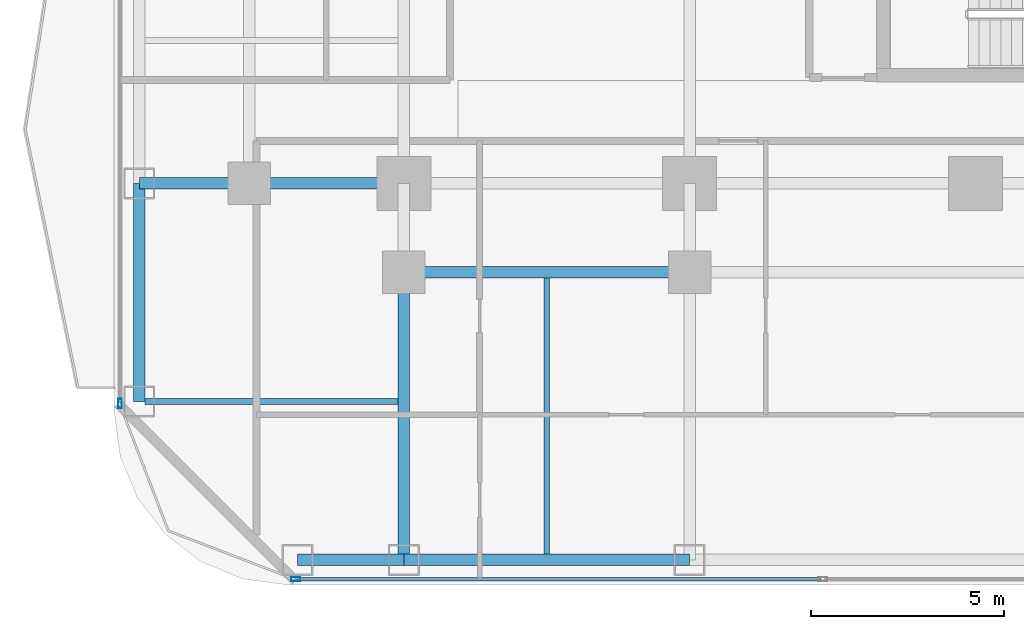
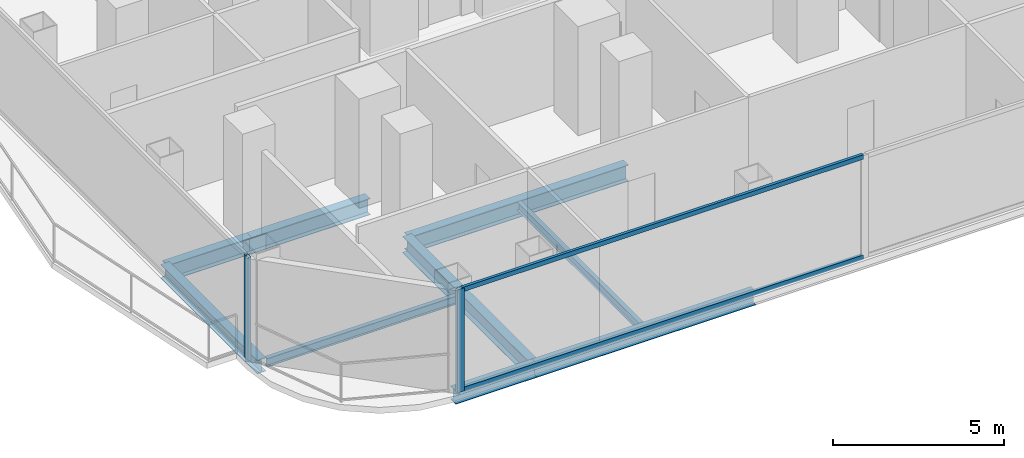
# One storey, part 2 of 27: 9 beams, 4 members, 2 elements without a shape of their own.
"""IFC4 building model written with IfcOpenShell, lengths in metres."""

import ifcopenshell
import ifcopenshell.guid

model = None  # the IFC model being written
_history = None  # IfcOwnerHistory: only IFC2X3 demands one
_inside = {}  # id of a spatial element -> (the spatial element, [elements in it])
_under = {}  # id of a project, library or spatial element -> (it, [spatial elements below it])
_declared = {}  # id of a project -> (the project, [libraries it declares])
_typed = {}  # id of a type object -> (the type object, [elements of that type])
_made_of = {}  # id of a material, layer set ... -> (it, [elements and type objects made of it])


def new_model(schema):
    """Start an empty IFC model of exactly this schema.

    Asked for "IFC4X3", IfcOpenShell would pick the latest addendum, in which some entities
    have other attributes; the version numbers below select the first issue.
    IFC2X3 requires an IfcOwnerHistory on every rooted entity: one is made here for all.
    """
    global model, _history
    if schema == "IFC4X3":
        model = ifcopenshell.file(schema_version=(4, 3, 0, 0))
    else:
        model = ifcopenshell.file(schema=schema)
    _inside.clear()
    _under.clear()
    _declared.clear()
    _typed.clear()
    _made_of.clear()
    _history = None
    if model.schema == "IFC2X3":
        org = make("IfcOrganization", Name="unknown")
        user = make(
            "IfcPersonAndOrganization",
            ThePerson=make("IfcPerson", FamilyName="unknown"),
            TheOrganization=org,
        )
        app = make(
            "IfcApplication",
            ApplicationDeveloper=org,
            Version="unknown",
            ApplicationFullName="unknown",
            ApplicationIdentifier="unknown",
        )
        _history = make(
            "IfcOwnerHistory",
            OwningUser=user,
            OwningApplication=app,
            ChangeAction="ADDED",
            CreationDate=0,
        )
    return model


def make(cls, **values):
    """One entity of the class cls with the attributes given. An attribute that is None is left unset."""
    return model.create_entity(
        cls, **{name: value for name, value in values.items() if value is not None}
    )


def rooted(cls, **values):
    """An entity with a GlobalId (a new one), such as an element, a storey or a relation."""
    return make(cls, GlobalId=ifcopenshell.guid.new(), OwnerHistory=_history, **values)


def si_unit(unit_type, name, prefix=None):
    """IfcSIUnit, for example si_unit("LENGTHUNIT", "METRE", prefix="MILLI")."""
    return make("IfcSIUnit", UnitType=unit_type, Prefix=prefix, Name=name)


def assignment(units):
    """IfcUnitAssignment: the units of a project."""
    return None if units is None else make("IfcUnitAssignment", Units=units)


def point(xyz):
    """IfcCartesianPoint."""
    return None if xyz is None else make("IfcCartesianPoint", Coordinates=xyz)


def direction(xyz):
    """IfcDirection."""
    return None if xyz is None else make("IfcDirection", DirectionRatios=xyz)


def frame(location, z_axis=None, x_axis=None):
    """IfcAxis2Placement3D, a coordinate frame: its origin and axes. An axis left out is left unset."""
    return make(
        "IfcAxis2Placement3D",
        Location=point(location),
        Axis=direction(z_axis),
        RefDirection=direction(x_axis),
    )


def frame_2d(location, x_axis=None):
    """IfcAxis2Placement2D, a coordinate frame in the plane: its origin and x axis."""
    return make(
        "IfcAxis2Placement2D", Location=point(location), RefDirection=direction(x_axis)
    )


def origin():
    """The frame at (0, 0, 0) with its axes left unset."""
    return frame((0.0, 0.0, 0.0))


def origin_2d():
    """The frame at (0, 0) in the plane with its x axis left unset."""
    return frame_2d((0.0, 0.0))


def place(relative_to, where):
    """IfcLocalPlacement: puts the frame where relative to a parent placement (None: the world)."""
    return make(
        "IfcLocalPlacement", PlacementRelTo=relative_to, RelativePlacement=where
    )


def context(
    kind, dimensions, precision=None, world=None, true_north=None, identifier=None
):
    """IfcGeometricRepresentationContext, for example the 3D "Model" context."""
    return make(
        "IfcGeometricRepresentationContext",
        ContextIdentifier=identifier,
        ContextType=kind,
        CoordinateSpaceDimension=dimensions,
        Precision=precision,
        WorldCoordinateSystem=world,
        TrueNorth=true_north,
    )


def subcontext(parent, identifier, kind, view, scale=None):
    """IfcGeometricRepresentationSubContext, for example "Body" below "Model"."""
    return make(
        "IfcGeometricRepresentationSubContext",
        ContextIdentifier=identifier,
        ContextType=kind,
        ParentContext=parent,
        TargetScale=scale,
        TargetView=view,
    )


def project(units=None, contexts=None):
    """IfcProject with its units and contexts."""
    return rooted(
        "IfcProject",
        Name="project",
        RepresentationContexts=contexts,
        UnitsInContext=assignment(units),
    )


def spatial(cls, under=None, at=None, **own):
    """A site, building, storey or space (cls), placed at a placement, below another one or the project."""
    s = rooted(cls, ObjectPlacement=at, **own)
    if under is not None:
        _under.setdefault(under.id(), (under, []))[1].append(s)
    return s


def profile(cls, at=None, kind="AREA", **sizes):
    """A parametric profile (cls). Its sizes go by their IFC names, for example OverallWidth=200.0."""
    return make(cls, ProfileType=kind, Position=at, **sizes)


def hollow_rectangle(**sizes):
    """IfcRectangleHollowProfileDef."""
    return profile("IfcRectangleHollowProfileDef", **sizes)


def i_section(**sizes):
    """IfcIShapeProfileDef."""
    return profile("IfcIShapeProfileDef", **sizes)


def extrude(swept, where, along, depth):
    """IfcExtrudedAreaSolid: the profile swept, set in the frame where, extruded along a direction by depth."""
    return make(
        "IfcExtrudedAreaSolid",
        SweptArea=swept,
        Position=where,
        ExtrudedDirection=direction(along),
        Depth=depth,
    )


def shape(context_of_items, identifier, shape_type, items):
    """IfcShapeRepresentation: the items that make up one representation, for example the "Body"."""
    return make(
        "IfcShapeRepresentation",
        ContextOfItems=context_of_items,
        RepresentationIdentifier=identifier,
        RepresentationType=shape_type,
        Items=items,
    )


def material(Name=None, Category=None):
    """IfcMaterial."""
    return make("IfcMaterial", Name=Name, Category=Category)


def layer(
    of_material, thickness, ventilated=None, Name=None, Category=None, Priority=None
):
    """IfcMaterialLayer: one layer of a wall or slab, of a material (None: an air gap)."""
    return make(
        "IfcMaterialLayer",
        Material=of_material,
        LayerThickness=thickness,
        IsVentilated=ventilated,
        Name=Name,
        Category=Category,
        Priority=Priority,
    )


def layer_set(layers, Name=None):
    """IfcMaterialLayerSet."""
    return make("IfcMaterialLayerSet", MaterialLayers=layers, LayerSetName=Name)


def material_profile(
    of_material, cross_section, Name=None, Category=None, Priority=None
):
    """IfcMaterialProfile: a cross section and its material."""
    return make(
        "IfcMaterialProfile",
        Name=Name,
        Material=of_material,
        Profile=cross_section,
        Priority=Priority,
        Category=Category,
    )


def profile_set(profiles, Name=None, composite=None):
    """IfcMaterialProfileSet."""
    return make(
        "IfcMaterialProfileSet",
        Name=Name,
        MaterialProfiles=profiles,
        CompositeProfile=composite,
    )


def made_of(thing, what):
    """Note that an element or type object is made of a material, layer set ...; save() writes the relation."""
    if what is not None:
        _made_of.setdefault(what.id(), (what, []))[1].append(thing)
    return thing


def type_object(cls, material=None, **own):
    """A type object (cls), such as IfcWallType, which elements share."""
    return made_of(rooted(cls, **own), material)


def element(
    cls,
    number,
    at=None,
    inside=None,
    cuts=None,
    type_object=None,
    material=None,
    context=None,
    identifier="Body",
    shape_type=None,
    held_by="IfcProductDefinitionShape",
    body=None,
    shapes=None,
    **own,
):
    """One element of the class cls, such as IfcWall. Its Tag is "e" and its number.

    at: its placement. inside: the storey or other place that contains it. cuts: it is an
    opening in that element (IfcRelVoidsElement). A single representation is given by context,
    identifier, shape_type and body (its items); several are given by shapes. held_by: the class
    of the entity that holds the representations. save() writes the other relations.
    """
    e = rooted(cls, Tag="e%d" % number, ObjectPlacement=at, **own)
    if body is not None:
        shapes = [shape(context, identifier, shape_type, body)]
    if shapes is not None:
        e.Representation = make(held_by, Representations=shapes)
    if inside is not None:
        _inside.setdefault(inside.id(), (inside, []))[1].append(e)
    if cuts is not None:
        rooted(
            "IfcRelVoidsElement", RelatingBuildingElement=cuts, RelatedOpeningElement=e
        )
    if type_object is not None:
        _typed.setdefault(type_object.id(), (type_object, []))[1].append(e)
    return made_of(e, material)


def aggregate(whole, parts):
    """IfcRelAggregates: a whole, such as a stair, and the parts it consists of."""
    return rooted("IfcRelAggregates", RelatingObject=whole, RelatedObjects=parts)


def save(model, path):
    """Write the relations noted so far, then the file.

    IfcRelAggregates (storeys below a building ...), IfcRelContainedInSpatialStructure (elements
    in a storey), IfcRelDefinesByType, IfcRelAssociatesMaterial and IfcRelDeclares: one each for
    every whole, place, type object, material and project.
    """
    for whole, parts in _under.values():
        aggregate(whole, parts)
    for where, things in _inside.values():
        rooted(
            "IfcRelContainedInSpatialStructure",
            RelatedElements=things,
            RelatingStructure=where,
        )
    for kind, things in _typed.values():
        rooted("IfcRelDefinesByType", RelatedObjects=things, RelatingType=kind)
    for what, things in _made_of.values():
        rooted("IfcRelAssociatesMaterial", RelatedObjects=things, RelatingMaterial=what)
    for by, libraries in _declared.values():
        rooted("IfcRelDeclares", RelatingContext=by, RelatedDefinitions=libraries)
    model.write(path)


model = new_model("IFC4")

# Units and contexts
model_context = context("Model", 3, precision=1e-05, world=origin(), true_north=direction((0.0, 1.0)))
body_context = subcontext(model_context, "Body", "Model", "MODEL_VIEW")
ifc_project = project(units=[si_unit("LENGTHUNIT", "METRE"), si_unit("AREAUNIT", "SQUARE_METRE"), si_unit("VOLUMEUNIT", "CUBIC_METRE"), si_unit("PLANEANGLEUNIT", "RADIAN"), si_unit("MASSUNIT", "GRAM", prefix="KILO")], contexts=[model_context])

# Site, building, storey
site_placement = place(None, origin())
site = spatial("IfcSite", under=ifc_project, at=site_placement, CompositionType="ELEMENT")
building_placement = place(site_placement, origin())
building = spatial("IfcBuilding", under=site, at=building_placement, Name="Khorvyn Point Tower", CompositionType="ELEMENT")
storey_placement = place(building_placement, frame((0.0, 0.0, 46.199951171875)))
storey = spatial("IfcBuildingStorey", under=building, at=storey_placement, Name="L12", CompositionType="ELEMENT", Elevation=46.199951171875)

# Curtain wall, member
ifc_material_1 = material(Name="Anodised aluminium 6063-T6 and laminated Low-E glass", Category="aluminium")
ifc_layer = layer(ifc_material_1, 0.18994140625)
ifc_layer_set = layer_set([ifc_layer], Name="Stick-Built Finned Residential Curtain Wall CW-SYS-02")
curtain_wall_type = type_object("IfcCurtainWallType", Name="Stick-Built Finned Residential Curtain Wall CW-SYS-02", PredefinedType="NOTDEFINED", material=ifc_layer_set)
curtain_wall_1_placement = place(storey_placement, origin())
curtain_wall_1 = element("IfcCurtainWall", 1, at=curtain_wall_1_placement, inside=storey, type_object=curtain_wall_type, Name="Curtain Wall", PredefinedType="NOTDEFINED")
ifc_material_2 = material(Name="Anodised aluminium 6063-T6", Category="aluminium")
ifc_material_profile_1 = material_profile(ifc_material_2, hollow_rectangle(XDim=0.10009765625, YDim=0.239990234375, WallThickness=0.0048828125, at=origin_2d()))
ifc_profile_set_1 = profile_set([ifc_material_profile_1], Name="Anodised aluminium 6063-T6 ALU-MUL-100x240")
member_type_1 = type_object("IfcMemberType", Name="Anodised Aluminium 6063-T6 Mullion ALU-MUL-100x240", PredefinedType="MULLION", material=ifc_profile_set_1)
member_1_placement = place(storey_placement, frame((-17.60009765625, -25.050048828125, 0.0), z_axis=(0.0, 0.0, 1.0), x_axis=(0.0, -1.0, 0.0)))
member_1 = element("IfcMember", 2, at=member_1_placement, type_object=member_type_1, Name="Transom", PredefinedType="MULLION", context=body_context, shape_type="SweptSolid", body=[
    extrude(hollow_rectangle(XDim=0.10009765625, YDim=0.239990234375, WallThickness=0.0048828125, at=origin_2d()), origin(), (0.0, 0.0, 1.0), 3.679931640625),
])

curtain_wall_2_placement = place(storey_placement, origin())
curtain_wall_2 = element("IfcCurtainWall", 3, at=curtain_wall_2_placement, inside=storey, type_object=curtain_wall_type, Name="Curtain Wall", PredefinedType="NOTDEFINED")
member_2_placement = place(storey_placement, frame((-22.14990234375, -20.5, 0.0), z_axis=(0.0, 0.0, 1.0), x_axis=(-1.0, 0.0, 0.0)))
member_2 = element("IfcMember", 4, at=member_2_placement, type_object=member_type_1, Name="Transom", PredefinedType="MULLION", context=body_context, shape_type="SweptSolid", body=[
    extrude(hollow_rectangle(XDim=0.10009765625, YDim=0.239990234375, WallThickness=0.0048828125, at=origin_2d()), origin(), (0.0, 0.0, 1.0), 3.679931640625),
])
aggregate(curtain_wall_2, [member_2])

# Member
ifc_material_profile_2 = material_profile(ifc_material_2, hollow_rectangle(XDim=0.10009765625, YDim=0.159912109375, WallThickness=0.00439453125, at=origin_2d()))
ifc_profile_set_2 = profile_set([ifc_material_profile_2], Name="Anodised aluminium 6063-T6 ALU-TRN-100x160")
member_type_2 = type_object("IfcMemberType", Name="Anodised Aluminium 6063-T6 Transom ALU-TRN-100x160", PredefinedType="USERDEFINED", material=ifc_profile_set_2)
member_3_placement = place(storey_placement, frame((-4.0, -25.050048828125, 0.050048828125), z_axis=(-1.0, 0.0, 0.0), x_axis=(0.0, -1.0, 0.0)))
member_3 = element("IfcMember", 5, at=member_3_placement, type_object=member_type_2, Name="Transom", ObjectType="TRANSOM", PredefinedType="USERDEFINED", context=body_context, shape_type="SweptSolid", body=[
    extrude(hollow_rectangle(XDim=0.10009765625, YDim=0.159912109375, WallThickness=0.00439453125, at=origin_2d()), origin(), (0.0, 0.0, 1.0), 13.550048828125),
])

member_4_placement = place(storey_placement, frame((-4.0, -25.050048828125, 3.630126953125), z_axis=(-1.0, 0.0, 0.0), x_axis=(0.0, -1.0, 0.0)))
member_4 = element("IfcMember", 6, at=member_4_placement, type_object=member_type_2, Name="Transom", ObjectType="TRANSOM", PredefinedType="USERDEFINED", context=body_context, shape_type="SweptSolid", body=[
    extrude(hollow_rectangle(XDim=0.10009765625, YDim=0.159912109375, WallThickness=0.00439453125, at=origin_2d()), origin(), (0.0, 0.0, 1.0), 13.550048828125),
])

aggregate(curtain_wall_1, [member_1, member_3, member_4])

# Beams
ifc_material_3 = material(Name="Steel S355", Category="steel")
ifc_material_profile_3 = material_profile(ifc_material_3, i_section(OverallWidth=0.300048828125, OverallDepth=0.587890625, WebThickness=0.011962890625, FlangeThickness=0.02001953125, at=origin_2d()))
ifc_profile_set_3 = profile_set([ifc_material_profile_3], Name="Steel S355 H588x300x12x20")
beam_type_1 = type_object("IfcBeamType", Name="Steel S355 Beam H588x300x12x20", PredefinedType="BEAM", material=ifc_profile_set_3)
beam_1_placement = place(storey_placement, frame((-21.64990234375, -14.800048828125, -0.513916015625), z_axis=(1.0, 0.0, 0.0), x_axis=(0.0, 1.0, 0.0)))
element("IfcBeam", 7, at=beam_1_placement, inside=storey, type_object=beam_type_1, Name="Beam", PredefinedType="BEAM", context=body_context, shape_type="SweptSolid", body=[
    extrude(i_section(OverallWidth=0.300048828125, OverallDepth=0.587890625, WebThickness=0.011962890625, FlangeThickness=0.02001953125, at=origin_2d()), origin(), (0.0, 0.0, 1.0), 2.849853515625),
])
beam_2_placement = place(storey_placement, frame((-18.800048828125, -14.800048828125, -0.513916015625), z_axis=(1.0, 0.0, 0.0), x_axis=(0.0, 1.0, 0.0)))
element("IfcBeam", 8, at=beam_2_placement, inside=storey, type_object=beam_type_1, Name="Beam", PredefinedType="BEAM", context=body_context, shape_type="SweptSolid", body=[
    extrude(i_section(OverallWidth=0.300048828125, OverallDepth=0.587890625, WebThickness=0.011962890625, FlangeThickness=0.02001953125, at=origin_2d()), origin(), (0.0, 0.0, 1.0), 4.0),
])
beam_3_placement = place(storey_placement, frame((-14.800048828125, -17.10009765625, -0.513916015625), z_axis=(1.0, 0.0, 0.0), x_axis=(0.0, 1.0, 0.0)))
element("IfcBeam", 9, at=beam_3_placement, inside=storey, type_object=beam_type_1, Name="Beam", PredefinedType="BEAM", context=body_context, shape_type="SweptSolid", body=[
    extrude(i_section(OverallWidth=0.300048828125, OverallDepth=0.587890625, WebThickness=0.011962890625, FlangeThickness=0.02001953125, at=origin_2d()), origin(), (0.0, 0.0, 1.0), 7.400146484375),
])
beam_4_placement = place(storey_placement, frame((-14.800048828125, -24.550048828125, -0.513916015625), z_axis=(0.0, 1.0, 0.0), x_axis=(-1.0, 0.0, 0.0)))
element("IfcBeam", 10, at=beam_4_placement, inside=storey, type_object=beam_type_1, Name="Beam", PredefinedType="BEAM", context=body_context, shape_type="SweptSolid", body=[
    extrude(i_section(OverallWidth=0.300048828125, OverallDepth=0.587890625, WebThickness=0.011962890625, FlangeThickness=0.02001953125, at=origin_2d()), origin(), (0.0, 0.0, 1.0), 7.449951171875),
])
ifc_material_profile_4 = material_profile(ifc_material_3, i_section(OverallWidth=0.14990234375, OverallDepth=0.300048828125, WebThickness=0.006591796875, FlangeThickness=0.009033203125, at=origin_2d()))
ifc_profile_set_4 = profile_set([ifc_material_profile_4], Name="Steel S355 H300x150x6.5x9")
beam_type_2 = type_object("IfcBeamType", Name="Steel S355 Joist H300x150x6.5x9", PredefinedType="JOIST", material=ifc_profile_set_4)
beam_5_placement = place(storey_placement, frame((-11.10009765625, -24.39990234375, -0.369873046875), z_axis=(0.0, 1.0, 0.0), x_axis=(-1.0, 0.0, 0.0)))
element("IfcBeam", 11, at=beam_5_placement, inside=storey, type_object=beam_type_2, Name="Beam", PredefinedType="JOIST", context=body_context, shape_type="SweptSolid", body=[
    extrude(i_section(OverallWidth=0.14990234375, OverallDepth=0.300048828125, WebThickness=0.006591796875, FlangeThickness=0.009033203125, at=origin_2d()), origin(), (0.0, 0.0, 1.0), 7.14990234375),
])
beam_6_placement = place(storey_placement, frame((-21.5, -20.449951171875, -0.369873046875), z_axis=(1.0, 0.0, 0.0), x_axis=(0.0, 1.0, 0.0)))
element("IfcBeam", 12, at=beam_6_placement, inside=storey, type_object=beam_type_2, Name="Beam", PredefinedType="JOIST", context=body_context, shape_type="SweptSolid", body=[
    extrude(i_section(OverallWidth=0.14990234375, OverallDepth=0.300048828125, WebThickness=0.006591796875, FlangeThickness=0.009033203125, at=origin_2d()), origin(), (0.0, 0.0, 1.0), 6.550048828125),
])
ifc_material_profile_5 = material_profile(ifc_material_3, i_section(OverallWidth=0.300048828125, OverallDepth=0.488037109375, WebThickness=0.010986328125, FlangeThickness=0.01806640625, at=origin_2d()))
ifc_profile_set_5 = profile_set([ifc_material_profile_5], Name="Steel S355 H488x300x11x18")
beam_type_3 = type_object("IfcBeamType", Name="Steel S355 Spandrel H488x300x11x18", PredefinedType="SPANDREL", material=ifc_profile_set_5)
beam_7_placement = place(storey_placement, frame((-17.550048828125, -24.550048828125, -0.4638671875), z_axis=(1.0, 0.0, 0.0), x_axis=(0.0, 1.0, 0.0)))
element("IfcBeam", 13, at=beam_7_placement, inside=storey, type_object=beam_type_3, Name="Beam", PredefinedType="SPANDREL", context=body_context, shape_type="SweptSolid", body=[
    extrude(i_section(OverallWidth=0.300048828125, OverallDepth=0.488037109375, WebThickness=0.010986328125, FlangeThickness=0.01806640625, at=origin_2d()), origin(), (0.0, 0.0, 1.0), 2.75),
])
beam_8_placement = place(storey_placement, frame((-14.800048828125, -24.550048828125, -0.4638671875), z_axis=(1.0, 0.0, 0.0), x_axis=(0.0, 1.0, 0.0)))
element("IfcBeam", 14, at=beam_8_placement, inside=storey, type_object=beam_type_3, Name="Beam", PredefinedType="SPANDREL", context=body_context, shape_type="SweptSolid", body=[
    extrude(i_section(OverallWidth=0.300048828125, OverallDepth=0.488037109375, WebThickness=0.010986328125, FlangeThickness=0.01806640625, at=origin_2d()), origin(), (0.0, 0.0, 1.0), 7.400146484375),
])
beam_9_placement = place(storey_placement, frame((-21.64990234375, -20.449951171875, -0.4638671875), z_axis=(0.0, 1.0, 0.0), x_axis=(-1.0, 0.0, 0.0)))
element("IfcBeam", 15, at=beam_9_placement, inside=storey, type_object=beam_type_3, Name="Beam", PredefinedType="SPANDREL", context=body_context, shape_type="SweptSolid", body=[
    extrude(i_section(OverallWidth=0.300048828125, OverallDepth=0.488037109375, WebThickness=0.010986328125, FlangeThickness=0.01806640625, at=origin_2d()), origin(), (0.0, 0.0, 1.0), 5.64990234375),
])

save(model, "model.ifc")
